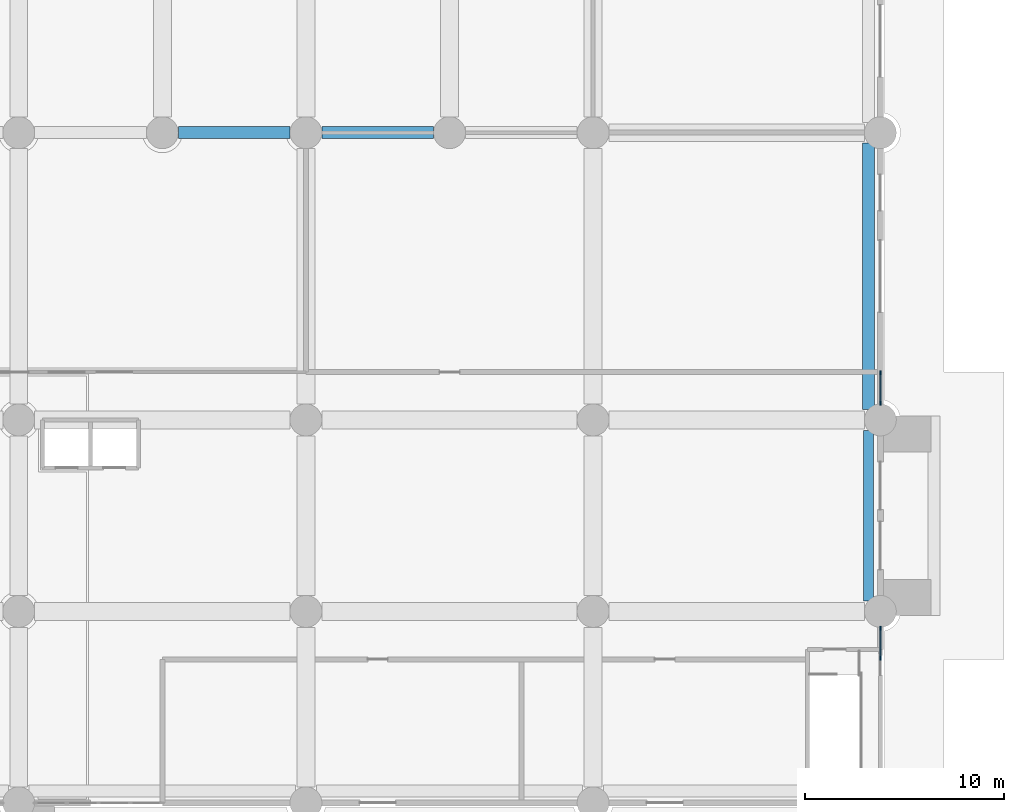
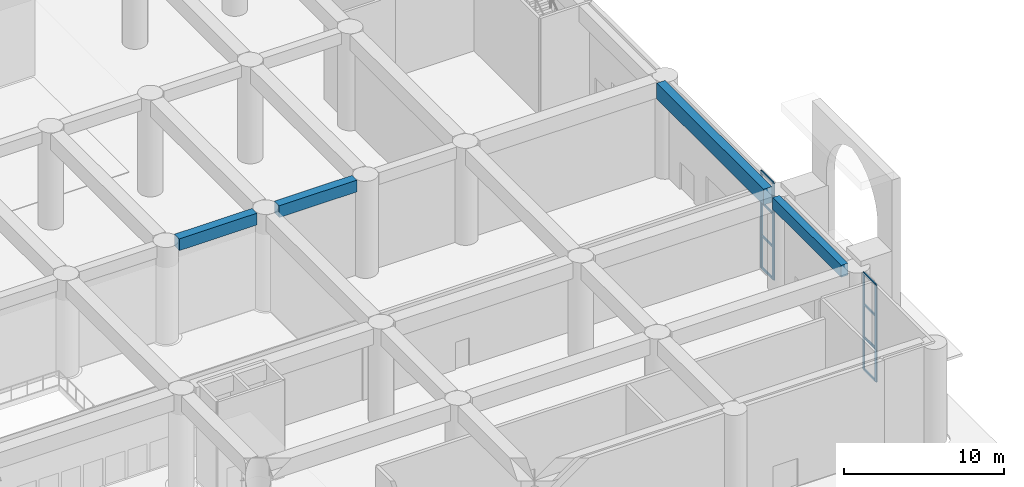
# One storey, part 7 of 32: 12 members, 4 beams, 2 elements without a shape of their own.
"""IFC4 building model written with IfcOpenShell, lengths in metres."""

from ifc_helpers import new_model, si_unit, direction, frame, origin, origin_2d, place, context, subcontext, project, spatial, rectangle, extrude, source, transform, mapped, material, layer, layer_set, material_profile, profile_set, type_object, element, aggregate, save


model = new_model("IFC4")

# Units and contexts
model_context = context("Model", 3, precision=1e-05, world=origin(), true_north=direction((0.0, 1.0)))
body_context = subcontext(model_context, "Body", "Model", "MODEL_VIEW")
ifc_project = project(units=[si_unit("LENGTHUNIT", "METRE"), si_unit("AREAUNIT", "SQUARE_METRE"), si_unit("VOLUMEUNIT", "CUBIC_METRE"), si_unit("PLANEANGLEUNIT", "RADIAN"), si_unit("MASSUNIT", "GRAM", prefix="KILO")], contexts=[model_context])

# Site, building, storey
site_placement = place(None, origin())
site = spatial("IfcSite", under=ifc_project, at=site_placement, CompositionType="ELEMENT")
building_placement = place(site_placement, origin())
building = spatial("IfcBuilding", under=site, at=building_placement, Name="Saffron Iwan Residences", CompositionType="ELEMENT")
storey_placement = place(building_placement, origin())
storey = spatial("IfcBuildingStorey", under=building, at=storey_placement, Name="L00", CompositionType="ELEMENT", Elevation=0.0)

# Beams
ifc_material_1 = material(Name="Concrete C50/60", Category="concrete")
ifc_material_profile_1 = material_profile(ifc_material_1, rectangle(XDim=0.5, YDim=0.89990234375, at=origin_2d()), Name="RC 500x900")
ifc_profile_set_1 = profile_set([ifc_material_profile_1], Name="Concrete C50/60")
beam_type_1 = type_object("IfcBeamType", Name="SPANDREL BEAM RC 500x900 C50/60 TOP 7400", PredefinedType="SPANDREL", material=ifc_profile_set_1)
shared_shape_1 = source(origin(), body_context, "Body", "SweptSolid", [
    extrude(rectangle(XDim=0.5, YDim=0.89990234375, at=origin_2d()), origin(), (0.0, 0.0, 1.0), 8.55224609375),
])
beam_1_placement = place(storey_placement, frame((100.199951171875, 18.676025390625, 6.949951171875), z_axis=(0.0, -1.0, 0.0), x_axis=(1.0, 0.0, 0.0)))
element("IfcBeam", 1, at=beam_1_placement, inside=storey, type_object=beam_type_1, Name="Spandrel beam", PredefinedType="SPANDREL", context=body_context, shape_type="MappedRepresentation", body=[
    mapped(shared_shape_1, transform((0.0, 0.0, 0.0))),
])
ifc_material_profile_2 = material_profile(ifc_material_1, rectangle(XDim=0.60009765625, YDim=1.199951171875, at=origin_2d()), Name="RC 600x1200")
ifc_profile_set_2 = profile_set([ifc_material_profile_2], Name="Concrete C50/60")
beam_type_2 = type_object("IfcBeamType", Name="LINTEL BEAM RC 600x1200 C50/60 TOP 7400", PredefinedType="LINTEL", material=ifc_profile_set_2)
shared_shape_2 = source(origin(), body_context, "Body", "SweptSolid", [
    extrude(rectangle(XDim=0.60009765625, YDim=1.199951171875, at=origin_2d()), origin(), (0.0, 0.0, 1.0), 13.352294921875),
])
beam_2_placement = place(storey_placement, frame((100.199951171875, 33.076171875, 6.800048828125), z_axis=(0.0, -1.0, 0.0), x_axis=(1.0, 0.0, 0.0)))
element("IfcBeam", 2, at=beam_2_placement, inside=storey, type_object=beam_type_2, Name="Lintel beam over the iwan", PredefinedType="LINTEL", context=body_context, shape_type="MappedRepresentation", body=[
    mapped(shared_shape_2, transform((0.0, 0.0, 0.0))),
])
ifc_material_profile_3 = material_profile(ifc_material_1, rectangle(XDim=0.60009765625, YDim=0.89990234375, at=origin_2d()), Name="RC 600x900")
ifc_profile_set_3 = profile_set([ifc_material_profile_3], Name="Concrete C50/60")
beam_type_3 = type_object("IfcBeamType", Name="BEAM RC 600x900 C50/60 TOP 7400", PredefinedType="BEAM", material=ifc_profile_set_3)
shared_shape_3 = source(origin(), body_context, "Body", "SweptSolid", [
    extrude(rectangle(XDim=0.60009765625, YDim=0.89990234375, at=origin_2d()), origin(), (0.0, 0.0, 1.0), 5.599853515625),
])
for number, where, z_axis, x_axis, name in (
    (3, (65.60009765625, 33.60009765625, 6.949951171875), (1.0, 0.0, 0.0), (0.0, 1.0, 0.0), "Floor beam"),
    (4, (72.800048828125, 33.60009765625, 6.949951171875), (1.0, 0.0, 0.0), (0.0, 1.0, 0.0), "Floor beam"),
):
    element("IfcBeam", number, at=place(storey_placement, frame(where, z_axis=z_axis, x_axis=x_axis)), inside=storey, type_object=beam_type_3, Name=name, PredefinedType="BEAM", context=body_context, shape_type="MappedRepresentation", body=[
        mapped(shared_shape_3, transform((0.0, 0.0, 0.0))),
    ])

# Curtain wall, members
ifc_material_2 = material(Name="Clear glass, laminated double glazed", Category="glass")
ifc_layer = layer(ifc_material_2, 0.199951171875)
ifc_layer_set = layer_set([ifc_layer], Name="Clear glass, laminated double glazed")
curtain_wall_type = type_object("IfcCurtainWallType", Name="CW-A UNITISED FRONTAGE", PredefinedType="NOTDEFINED", material=ifc_layer_set)
curtain_wall_1_placement = place(storey_placement, origin())
curtain_wall_1 = element("IfcCurtainWall", 5, at=curtain_wall_1_placement, inside=storey, type_object=curtain_wall_type, Name="Frontage glazing 4.1", PredefinedType="NOTDEFINED")
ifc_material_3 = material(Name="Aluminium 6063-T6", Category="aluminium")
ifc_material_profile_4 = material_profile(ifc_material_3, rectangle(XDim=0.080078125, YDim=0.199951171875, at=origin_2d()), Name="CW-A MULLION 80 x 200")
ifc_profile_set_4 = profile_set([ifc_material_profile_4], Name="Aluminium 6063-T6")
member_type_1 = type_object("IfcMemberType", Name="CW-A MULLION 80 x 200", PredefinedType="MULLION", material=ifc_profile_set_4)
shared_shape_4 = source(origin(), body_context, "Body", "SweptSolid", [
    extrude(rectangle(XDim=0.080078125, YDim=0.199951171875, at=origin_2d()), origin(), (0.0, 0.0, 1.0), 7.39990234375),
])
member_1_placement = place(storey_placement, frame((100.800048828125, 7.239990234375, 0.0), z_axis=(0.0, 0.0, 1.0), x_axis=(-1.0, 0.0, 0.0)))
member_1 = element("IfcMember", 6, at=member_1_placement, type_object=member_type_1, Name="CW-A mullion 1", PredefinedType="MULLION", context=body_context, shape_type="MappedRepresentation", body=[
    mapped(shared_shape_4, transform((0.0, 0.0, 0.0))),
])
member_2_placement = place(storey_placement, frame((100.800048828125, 8.760009765625, 0.0), z_axis=(0.0, 0.0, 1.0), x_axis=(-1.0, 0.0, 0.0)))
member_2 = element("IfcMember", 7, at=member_2_placement, type_object=member_type_1, Name="CW-A mullion 2", PredefinedType="MULLION", context=body_context, shape_type="MappedRepresentation", body=[
    mapped(shared_shape_4, transform((0.0, 0.0, 0.0))),
])

curtain_wall_2_placement = place(storey_placement, origin())
curtain_wall_2 = element("IfcCurtainWall", 8, at=curtain_wall_2_placement, inside=storey, type_object=curtain_wall_type, Name="Frontage glazing 6.2", PredefinedType="NOTDEFINED")
member_3_placement = place(storey_placement, frame((100.800048828125, 20.0400390625, 0.0), z_axis=(0.0, 0.0, 1.0), x_axis=(-1.0, 0.0, 0.0)))
member_3 = element("IfcMember", 9, at=member_3_placement, type_object=member_type_1, Name="CW-A mullion 1", PredefinedType="MULLION", context=body_context, shape_type="MappedRepresentation", body=[
    mapped(shared_shape_4, transform((0.0, 0.0, 0.0))),
])
member_4_placement = place(storey_placement, frame((100.800048828125, 21.56005859375, 0.0), z_axis=(0.0, 0.0, 1.0), x_axis=(-1.0, 0.0, 0.0)))
member_4 = element("IfcMember", 10, at=member_4_placement, type_object=member_type_1, Name="CW-A mullion 2", PredefinedType="MULLION", context=body_context, shape_type="MappedRepresentation", body=[
    mapped(shared_shape_4, transform((0.0, 0.0, 0.0))),
])

# Member
ifc_material_profile_5 = material_profile(ifc_material_3, rectangle(XDim=0.080078125, YDim=0.159912109375, at=origin_2d()), Name="CW-A TRANSOM 80 x 160")
ifc_profile_set_5 = profile_set([ifc_material_profile_5], Name="Aluminium 6063-T6")
member_type_2 = type_object("IfcMemberType", Name="CW-A TRANSOM 80 x 160", PredefinedType="USERDEFINED", material=ifc_profile_set_5)
shared_shape_5 = source(origin(), body_context, "Body", "SweptSolid", [
    extrude(rectangle(XDim=0.080078125, YDim=0.159912109375, at=origin_2d()), origin(), (0.0, 0.0, 1.0), 1.43994140625),
])
member_5_placement = place(storey_placement, frame((100.800048828125, 7.280029296875, 0.0400390625), z_axis=(0.0, 1.0, 0.0), x_axis=(-1.0, 0.0, 0.0)))
member_5 = element("IfcMember", 11, at=member_5_placement, type_object=member_type_2, Name="CW-A transom 1.1", ObjectType="TRANSOM", PredefinedType="USERDEFINED", context=body_context, shape_type="MappedRepresentation", body=[
    mapped(shared_shape_5, transform((0.0, 0.0, 0.0))),
])

member_6_placement = place(storey_placement, frame((100.800048828125, 7.280029296875, 2.5), z_axis=(0.0, 1.0, 0.0), x_axis=(-1.0, 0.0, 0.0)))
member_6 = element("IfcMember", 12, at=member_6_placement, type_object=member_type_2, Name="CW-A transom 1.2", ObjectType="TRANSOM", PredefinedType="USERDEFINED", context=body_context, shape_type="MappedRepresentation", body=[
    mapped(shared_shape_5, transform((0.0, 0.0, 0.0))),
])

member_7_placement = place(storey_placement, frame((100.800048828125, 7.280029296875, 5.0), z_axis=(0.0, 1.0, 0.0), x_axis=(-1.0, 0.0, 0.0)))
member_7 = element("IfcMember", 13, at=member_7_placement, type_object=member_type_2, Name="CW-A transom 1.3", ObjectType="TRANSOM", PredefinedType="USERDEFINED", context=body_context, shape_type="MappedRepresentation", body=[
    mapped(shared_shape_5, transform((0.0, 0.0, 0.0))),
])

member_8_placement = place(storey_placement, frame((100.800048828125, 7.280029296875, 7.360107421875), z_axis=(0.0, 1.0, 0.0), x_axis=(-1.0, 0.0, 0.0)))
member_8 = element("IfcMember", 14, at=member_8_placement, type_object=member_type_2, Name="CW-A transom 1.4", ObjectType="TRANSOM", PredefinedType="USERDEFINED", context=body_context, shape_type="MappedRepresentation", body=[
    mapped(shared_shape_5, transform((0.0, 0.0, 0.0))),
])

aggregate(curtain_wall_1, [member_1, member_2, member_5, member_6, member_7, member_8])

member_9_placement = place(storey_placement, frame((100.800048828125, 20.080078125, 0.0400390625), z_axis=(0.0, 1.0, 0.0), x_axis=(-1.0, 0.0, 0.0)))
member_9 = element("IfcMember", 15, at=member_9_placement, type_object=member_type_2, Name="CW-A transom 1.1", ObjectType="TRANSOM", PredefinedType="USERDEFINED", context=body_context, shape_type="MappedRepresentation", body=[
    mapped(shared_shape_5, transform((0.0, 0.0, 0.0))),
])

member_10_placement = place(storey_placement, frame((100.800048828125, 20.080078125, 2.5), z_axis=(0.0, 1.0, 0.0), x_axis=(-1.0, 0.0, 0.0)))
member_10 = element("IfcMember", 16, at=member_10_placement, type_object=member_type_2, Name="CW-A transom 1.2", ObjectType="TRANSOM", PredefinedType="USERDEFINED", context=body_context, shape_type="MappedRepresentation", body=[
    mapped(shared_shape_5, transform((0.0, 0.0, 0.0))),
])

member_11_placement = place(storey_placement, frame((100.800048828125, 20.080078125, 5.0), z_axis=(0.0, 1.0, 0.0), x_axis=(-1.0, 0.0, 0.0)))
member_11 = element("IfcMember", 17, at=member_11_placement, type_object=member_type_2, Name="CW-A transom 1.3", ObjectType="TRANSOM", PredefinedType="USERDEFINED", context=body_context, shape_type="MappedRepresentation", body=[
    mapped(shared_shape_5, transform((0.0, 0.0, 0.0))),
])

member_12_placement = place(storey_placement, frame((100.800048828125, 20.080078125, 7.360107421875), z_axis=(0.0, 1.0, 0.0), x_axis=(-1.0, 0.0, 0.0)))
member_12 = element("IfcMember", 18, at=member_12_placement, type_object=member_type_2, Name="CW-A transom 1.4", ObjectType="TRANSOM", PredefinedType="USERDEFINED", context=body_context, shape_type="MappedRepresentation", body=[
    mapped(shared_shape_5, transform((0.0, 0.0, 0.0))),
])

aggregate(curtain_wall_2, [member_3, member_4, member_9, member_10, member_11, member_12])

save(model, "model.ifc")
